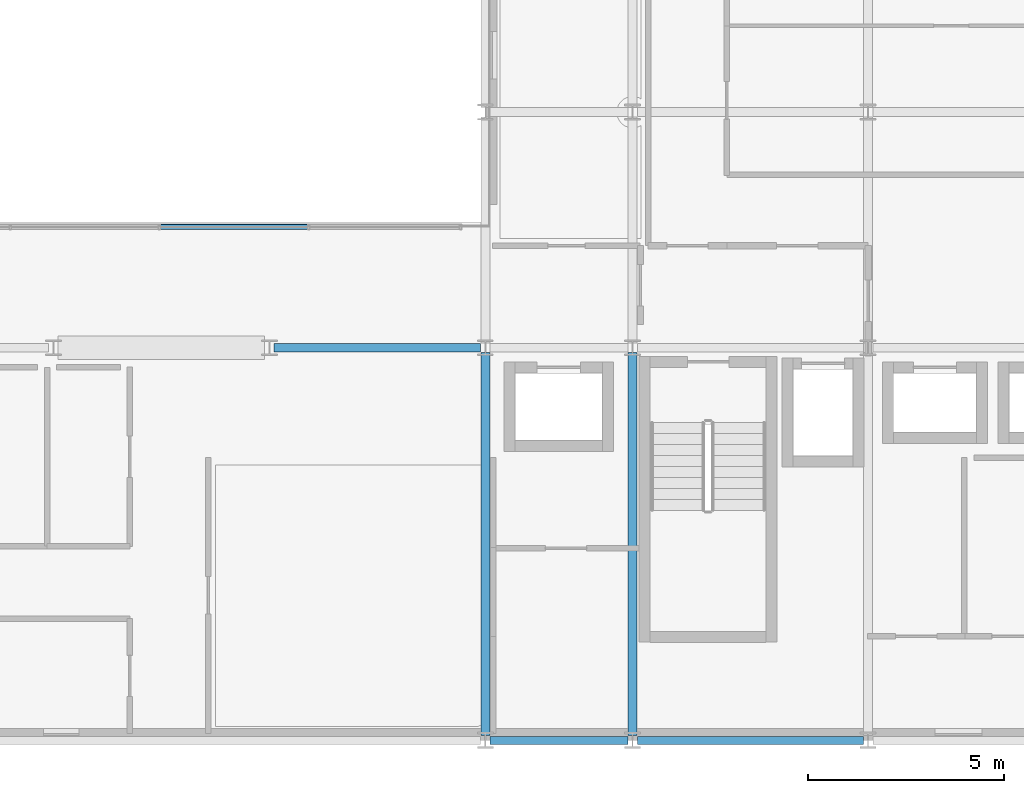
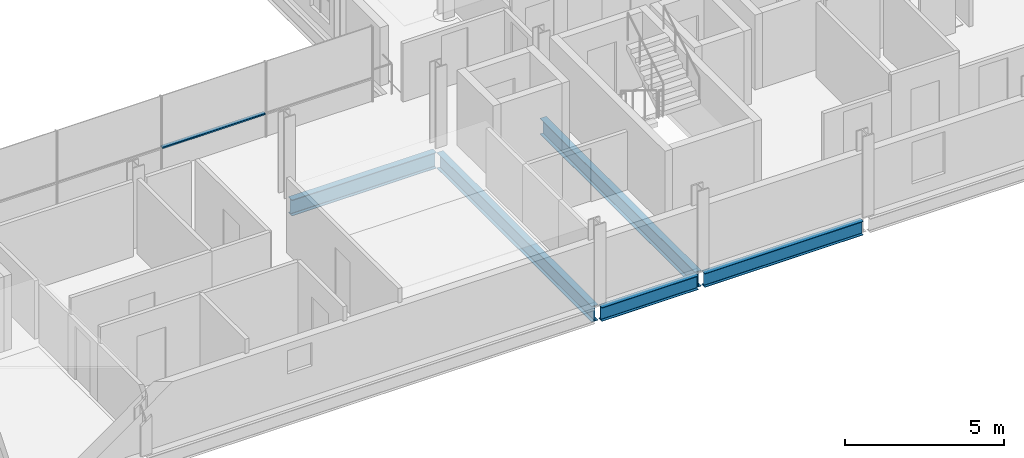
# One storey, part 14 of 40: 5 beams, 1 member, 1 element without a shape of its own.
"""IFC4 building model written with IfcOpenShell, lengths in metres."""

from ifc_helpers import new_model, si_unit, direction, frame, origin, origin_2d, place, context, subcontext, project, spatial, hollow_rectangle, i_section, extrude, material, layer, layer_set, material_profile, profile_set, type_object, element, aggregate, save


model = new_model("IFC4")

# Units and contexts
model_context = context("Model", 3, precision=1e-05, world=origin(), true_north=direction((0.0, 1.0)))
body_context = subcontext(model_context, "Body", "Model", "MODEL_VIEW")
ifc_project = project(units=[si_unit("LENGTHUNIT", "METRE"), si_unit("AREAUNIT", "SQUARE_METRE"), si_unit("VOLUMEUNIT", "CUBIC_METRE"), si_unit("PLANEANGLEUNIT", "RADIAN"), si_unit("MASSUNIT", "GRAM", prefix="KILO")], contexts=[model_context])

# Site, building, storey
site_placement = place(None, origin())
site = spatial("IfcSite", under=ifc_project, at=site_placement, CompositionType="ELEMENT")
building_placement = place(site_placement, origin())
building = spatial("IfcBuilding", under=site, at=building_placement, Name="Brevholm Reach", CompositionType="ELEMENT")
storey_placement = place(building_placement, frame((0.0, 0.0, 148.0)))
storey = spatial("IfcBuildingStorey", under=building, at=storey_placement, Name="L44", CompositionType="ELEMENT", Elevation=148.0)

# Beams
ifc_material_1 = material(Name="Structural Steel S355J2", Category="steel")
ifc_material_profile_1 = material_profile(ifc_material_1, i_section(OverallWidth=0.209228515625, OverallDepth=0.533203125, WebThickness=0.010009765625, FlangeThickness=0.015625, FilletRadius=0.0126953125, at=origin_2d()), Name="UKB 533x210x92")
ifc_profile_set_1 = profile_set([ifc_material_profile_1], Name="Structural Steel S355J2")
beam_type_1 = type_object("IfcBeamType", Name="BM-SP533", PredefinedType="SPANDREL", material=ifc_profile_set_1)
beam_1_placement = place(storey_placement, frame((38.3701171875, 0.0, -0.486572265625), z_axis=(1.0, 0.0, 0.0), x_axis=(0.0, 1.0, 0.0)))
element("IfcBeam", 1, at=beam_1_placement, inside=storey, type_object=beam_type_1, Name="L44 SP-02 Framing Beam", PredefinedType="SPANDREL", context=body_context, shape_type="SweptSolid", body=[
    extrude(i_section(OverallWidth=0.209228515625, OverallDepth=0.533203125, WebThickness=0.010009765625, FlangeThickness=0.015625, FilletRadius=0.0126953125, at=origin_2d()), origin(), (0.0, 0.0, 1.0), 3.509765625),
])
beam_2_placement = place(storey_placement, frame((42.1201171875, 0.0, -0.486572265625), z_axis=(1.0, 0.0, 0.0), x_axis=(0.0, 1.0, 0.0)))
element("IfcBeam", 2, at=beam_2_placement, inside=storey, type_object=beam_type_1, Name="L44 SP-02 Framing Beam", PredefinedType="SPANDREL", context=body_context, shape_type="SweptSolid", body=[
    extrude(i_section(OverallWidth=0.209228515625, OverallDepth=0.533203125, WebThickness=0.010009765625, FlangeThickness=0.015625, FilletRadius=0.0126953125, at=origin_2d()), origin(), (0.0, 0.0, 1.0), 5.759765625),
])
ifc_material_2 = material(Name="Structural Steel S355J2", Category="steel")
ifc_material_profile_2 = material_profile(ifc_material_2, i_section(OverallWidth=0.22900390625, OverallDepth=0.6123046875, WebThickness=0.011962890625, FlangeThickness=0.01953125, FilletRadius=0.0126953125, at=origin_2d()), Name="UKB 610x229x125")
ifc_profile_set_2 = profile_set([ifc_material_profile_2], Name="Structural Steel S355J2")
beam_type_2 = type_object("IfcBeamType", Name="BM-SP610", PredefinedType="SPANDREL", material=ifc_profile_set_2)
beam_3_placement = place(storey_placement, frame((32.8701171875, 10.0, -0.526123046875), z_axis=(1.0, 0.0, 0.0), x_axis=(0.0, 1.0, 0.0)))
element("IfcBeam", 3, at=beam_3_placement, inside=storey, type_object=beam_type_2, Name="L44 SP-01 Framing Beam", PredefinedType="SPANDREL", context=body_context, shape_type="SweptSolid", body=[
    extrude(i_section(OverallWidth=0.22900390625, OverallDepth=0.6123046875, WebThickness=0.011962890625, FlangeThickness=0.01953125, FilletRadius=0.0126953125, at=origin_2d()), origin(), (0.0, 0.0, 1.0), 5.259765625),
])
for number, where, z_axis, x_axis, name in (
    (4, (38.25, 0.1201171875, -0.526123046875), (0.0, 1.0, 0.0), (-1.0, 0.0, 0.0), "L44 SP-01 Framing Beam"),
    (5, (42.0, 0.1201171875, -0.526123046875), (0.0, 1.0, 0.0), (-1.0, 0.0, 0.0), "L44 SP-01 Framing Beam"),
):
    element("IfcBeam", number, at=place(storey_placement, frame(where, z_axis=z_axis, x_axis=x_axis)), inside=storey, type_object=beam_type_2, Name=name, PredefinedType="SPANDREL", context=body_context, shape_type="SweptSolid", body=[
        extrude(i_section(OverallWidth=0.22900390625, OverallDepth=0.6123046875, WebThickness=0.011962890625, FlangeThickness=0.01953125, FilletRadius=0.0126953125, at=origin_2d()), origin(), (0.0, 0.0, 1.0), 9.759765625),
    ])

# Curtain wall, member
ifc_material_3 = material(Name="Dark Anodised Aluminium 6063-T6 and Solar-Control Glass", Category="aluminium")
ifc_layer = layer(ifc_material_3, 0.139892578125)
ifc_layer_set = layer_set([ifc_layer], Name="Dark Anodised Aluminium 6063-T6 and Solar-Control Glass")
curtain_wall_type = type_object("IfcCurtainWallType", Name="CW-02", PredefinedType="NOTDEFINED", material=ifc_layer_set)
curtain_wall_placement = place(storey_placement, origin())
curtain_wall = element("IfcCurtainWall", 6, at=curtain_wall_placement, inside=storey, type_object=curtain_wall_type, Name="L44 Curtain Wall CW-02", PredefinedType="NOTDEFINED")
ifc_material_4 = material(Name="Dark Anodised Aluminium 6063-T6", Category="aluminium")
ifc_material_profile_3 = material_profile(ifc_material_4, hollow_rectangle(XDim=0.06005859375, YDim=0.139892578125, WallThickness=0.0048828125, InnerFilletRadius=0.0048828125, OuterFilletRadius=0.010009765625, at=origin_2d()), Name="RHS 140x60x5")
ifc_profile_set_3 = profile_set([ifc_material_profile_3], Name="Dark Anodised Aluminium 6063-T6")
member_type = type_object("IfcMemberType", Name="CWT-140", PredefinedType="NOTDEFINED", material=ifc_profile_set_3)
member_placement = place(storey_placement, frame((29.97998046875, 13.080078125, 0.89990234375), z_axis=(1.0, 0.0, 0.0), x_axis=(0.0, 0.0, 1.0)))
member = element("IfcMember", 7, at=member_placement, type_object=member_type, Name="CT-140 Transom 3.1", ObjectType="TRANSOM", PredefinedType="USERDEFINED", context=body_context, shape_type="SweptSolid", body=[
    extrude(hollow_rectangle(XDim=0.06005859375, YDim=0.139892578125, WallThickness=0.0048828125, InnerFilletRadius=0.0048828125, OuterFilletRadius=0.010009765625, at=origin_2d()), origin(), (0.0, 0.0, 1.0), 3.739990234375),
])
aggregate(curtain_wall, [member])

save(model, "model.ifc")
